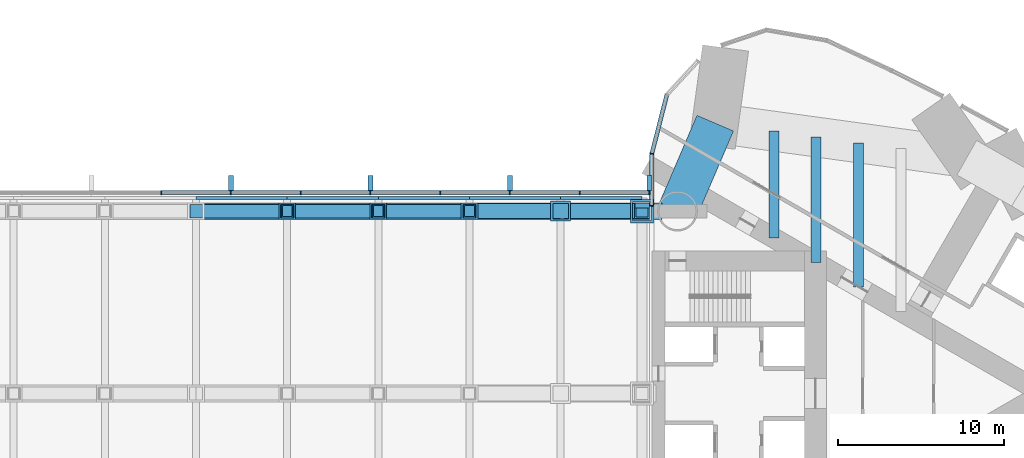
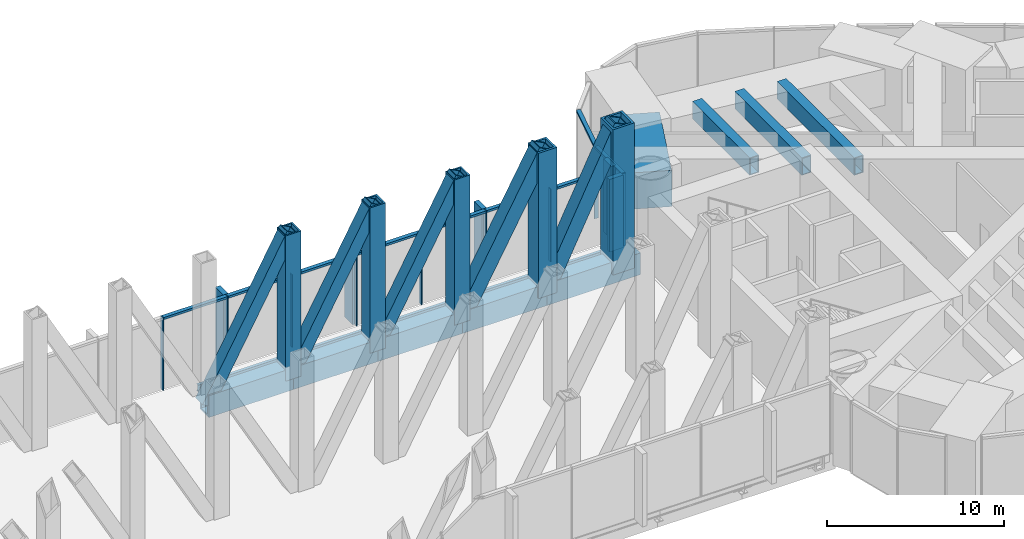
# One storey, part 11 of 21: 39 members, 9 beams, 2 elements without a shape of their own.
"""IFC4 building model written with IfcOpenShell, lengths in metres."""

from ifc_helpers import new_model, si_unit, direction, frame, origin, origin_2d, place, context, subcontext, project, spatial, rectangle, hollow_rectangle, i_section, extrude, material, material_profile, profile_set, type_object, element, aggregate, save


model = new_model("IFC4")

# Units and contexts
model_context = context("Model", 3, precision=1e-05, world=origin(), true_north=direction((0.0, 1.0)))
body_context = subcontext(model_context, "Body", "Model", "MODEL_VIEW")
ifc_project = project(units=[si_unit("LENGTHUNIT", "METRE"), si_unit("AREAUNIT", "SQUARE_METRE"), si_unit("VOLUMEUNIT", "CUBIC_METRE"), si_unit("PLANEANGLEUNIT", "RADIAN"), si_unit("MASSUNIT", "GRAM", prefix="KILO")], contexts=[model_context])

# Site, building, storey
site_placement = place(None, origin())
site = spatial("IfcSite", under=ifc_project, at=site_placement, CompositionType="ELEMENT")
building_placement = place(site_placement, origin())
building = spatial("IfcBuilding", under=site, at=building_placement, Name="Lancet Gate Hotel", CompositionType="ELEMENT")
storey_placement = place(building_placement, frame((0.0, 0.0, 205.300048828125)))
storey = spatial("IfcBuildingStorey", under=building, at=storey_placement, Name="L55", CompositionType="ELEMENT", Elevation=205.300048828125)

# Curtain wall, members
ifc_material_1 = material(Name="Aluminium curtain wall", Category="aluminium")
curtain_wall_type = type_object("IfcCurtainWallType", Name="Refuge storey louvred curtain wall", PredefinedType="USERDEFINED", material=ifc_material_1)
curtain_wall_1_placement = place(storey_placement, origin())
curtain_wall_1 = element("IfcCurtainWall", 1, at=curtain_wall_1_placement, inside=storey, type_object=curtain_wall_type, Name="T2 L55 curtain wall 10", ObjectType="LANTERN GLAZING", PredefinedType="USERDEFINED")
ifc_material_2 = material(Name="Aluminium mullion", Category="aluminium")
ifc_material_profile_1 = material_profile(ifc_material_2, rectangle(XDim=0.06494140625, YDim=0.25, at=origin_2d()), Name="MULLION 65x250")
ifc_profile_set_1 = profile_set([ifc_material_profile_1], Name="Aluminium mullion")
member_type_1 = type_object("IfcMemberType", Name="Aluminium mullion 65x250", PredefinedType="MULLION", material=ifc_profile_set_1)
member_1_placement = place(storey_placement, frame((27.5, 14.465576171875, 0.0), z_axis=(0.0, 0.0, 1.0), x_axis=(-0.134206524909, -0.990953383703, 0.0)))
member_1 = element("IfcMember", 2, at=member_1_placement, type_object=member_type_1, Name="T2 L55 curtain wall 10 mullion 3", PredefinedType="MULLION", context=body_context, shape_type="SweptSolid", body=[
    extrude(rectangle(XDim=0.06494140625, YDim=0.25, at=origin_2d()), origin(), (0.0, 0.0, 1.0), 5.0),
])
member_2_placement = place(storey_placement, frame((27.5, 11.332763671875, 0.0), z_axis=(0.0, 0.0, 1.0), x_axis=(0.0, -1.0, 0.0)))
member_2 = element("IfcMember", 3, at=member_2_placement, type_object=member_type_1, Name="T2 L55 curtain wall 10 mullion 4", PredefinedType="MULLION", context=body_context, shape_type="SweptSolid", body=[
    extrude(rectangle(XDim=0.06494140625, YDim=0.25, at=origin_2d()), origin(), (0.0, 0.0, 1.0), 5.0),
])

curtain_wall_2_placement = place(storey_placement, origin())
curtain_wall_2 = element("IfcCurtainWall", 4, at=curtain_wall_2_placement, inside=storey, type_object=curtain_wall_type, Name="Bridge block L55 curtain wall N", ObjectType="LANTERN GLAZING", PredefinedType="USERDEFINED")
member_3_placement = place(storey_placement, frame((27.35009765625, 12.1201171875, 0.0), z_axis=(0.0, 0.0, 1.0), x_axis=(-1.0, 0.0, 0.0)))
member_3 = element("IfcMember", 5, at=member_3_placement, type_object=member_type_1, Name="Bridge block L55 curtain wall N mullion 1", PredefinedType="MULLION", context=body_context, shape_type="SweptSolid", body=[
    extrude(rectangle(XDim=0.06494140625, YDim=0.25, at=origin_2d()), origin(), (0.0, 0.0, 1.0), 5.0),
])
member_4_placement = place(storey_placement, frame((23.142333984375, 12.1201171875, 0.0), z_axis=(0.0, 0.0, 1.0), x_axis=(-1.0, 0.0, 0.0)))
member_4 = element("IfcMember", 6, at=member_4_placement, type_object=member_type_1, Name="Bridge block L55 curtain wall N mullion 2", PredefinedType="MULLION", context=body_context, shape_type="SweptSolid", body=[
    extrude(rectangle(XDim=0.06494140625, YDim=0.25, at=origin_2d()), origin(), (0.0, 0.0, 1.0), 5.0),
])
member_5_placement = place(storey_placement, frame((18.9345703125, 12.1201171875, 0.0), z_axis=(0.0, 0.0, 1.0), x_axis=(-1.0, 0.0, 0.0)))
member_5 = element("IfcMember", 7, at=member_5_placement, type_object=member_type_1, Name="Bridge block L55 curtain wall N mullion 3", PredefinedType="MULLION", context=body_context, shape_type="SweptSolid", body=[
    extrude(rectangle(XDim=0.06494140625, YDim=0.25, at=origin_2d()), origin(), (0.0, 0.0, 1.0), 5.0),
])
member_6_placement = place(storey_placement, frame((14.726806640625, 12.1201171875, 0.0), z_axis=(0.0, 0.0, 1.0), x_axis=(-1.0, 0.0, 0.0)))
member_6 = element("IfcMember", 8, at=member_6_placement, type_object=member_type_1, Name="Bridge block L55 curtain wall N mullion 4", PredefinedType="MULLION", context=body_context, shape_type="SweptSolid", body=[
    extrude(rectangle(XDim=0.06494140625, YDim=0.25, at=origin_2d()), origin(), (0.0, 0.0, 1.0), 5.0),
])
member_7_placement = place(storey_placement, frame((10.519287109375, 12.1201171875, 0.0), z_axis=(0.0, 0.0, 1.0), x_axis=(-1.0, 0.0, 0.0)))
member_7 = element("IfcMember", 9, at=member_7_placement, type_object=member_type_1, Name="Bridge block L55 curtain wall N mullion 5", PredefinedType="MULLION", context=body_context, shape_type="SweptSolid", body=[
    extrude(rectangle(XDim=0.06494140625, YDim=0.25, at=origin_2d()), origin(), (0.0, 0.0, 1.0), 5.0),
])
member_8_placement = place(storey_placement, frame((6.3115234375, 12.1201171875, 0.0), z_axis=(0.0, 0.0, 1.0), x_axis=(-1.0, 0.0, 0.0)))
member_8 = element("IfcMember", 10, at=member_8_placement, type_object=member_type_1, Name="Bridge block L55 curtain wall N mullion 6", PredefinedType="MULLION", context=body_context, shape_type="SweptSolid", body=[
    extrude(rectangle(XDim=0.06494140625, YDim=0.25, at=origin_2d()), origin(), (0.0, 0.0, 1.0), 5.0),
])
member_9_placement = place(storey_placement, frame((2.103759765625, 12.1201171875, 0.0), z_axis=(0.0, 0.0, 1.0), x_axis=(-1.0, 0.0, 0.0)))
member_9 = element("IfcMember", 11, at=member_9_placement, type_object=member_type_1, Name="Bridge block L55 curtain wall N mullion 7", PredefinedType="MULLION", context=body_context, shape_type="SweptSolid", body=[
    extrude(rectangle(XDim=0.06494140625, YDim=0.25, at=origin_2d()), origin(), (0.0, 0.0, 1.0), 5.0),
])
member_10_placement = place(storey_placement, frame((-2.103759765625, 12.1201171875, 0.0), z_axis=(0.0, 0.0, 1.0), x_axis=(-1.0, 0.0, 0.0)))
member_10 = element("IfcMember", 12, at=member_10_placement, type_object=member_type_1, Name="Bridge block L55 curtain wall N mullion 8", PredefinedType="MULLION", context=body_context, shape_type="SweptSolid", body=[
    extrude(rectangle(XDim=0.06494140625, YDim=0.25, at=origin_2d()), origin(), (0.0, 0.0, 1.0), 5.0),
])

# Member
ifc_material_3 = material(Name="Aluminium transom", Category="aluminium")
ifc_material_profile_2 = material_profile(ifc_material_3, rectangle(XDim=0.25, YDim=0.14990234375, at=origin_2d()), Name="TRANSOM 250x150")
ifc_profile_set_2 = profile_set([ifc_material_profile_2], Name="Aluminium transom")
member_type_2 = type_object("IfcMemberType", Name="Aluminium transom 250x150", PredefinedType="USERDEFINED", material=ifc_profile_set_2)
member_11_placement = place(storey_placement, frame((28.40087890625, 18.012939453125, 4.925048828125), z_axis=(-0.246128756616, -0.969237140831, 0.0), x_axis=(0.969237140831, -0.246128756616, 0.0)))
member_11 = element("IfcMember", 13, at=member_11_placement, type_object=member_type_2, Name="T2 L55 curtain wall 10 transom 2", ObjectType="TRANSOM", PredefinedType="USERDEFINED", context=body_context, shape_type="SweptSolid", body=[
    extrude(rectangle(XDim=0.25, YDim=0.14990234375, at=origin_2d()), origin(), (0.0, 0.0, 1.0), 3.62744140625),
])

member_12_placement = place(storey_placement, frame((27.5, 14.43310546875, 4.925048828125), z_axis=(0.0, -1.0, 0.0), x_axis=(1.0, 0.0, 0.0)))
member_12 = element("IfcMember", 14, at=member_12_placement, type_object=member_type_2, Name="T2 L55 curtain wall 10 transom 3", ObjectType="TRANSOM", PredefinedType="USERDEFINED", context=body_context, shape_type="SweptSolid", body=[
    extrude(rectangle(XDim=0.25, YDim=0.14990234375, at=origin_2d()), origin(), (0.0, 0.0, 1.0), 3.06787109375),
])

member_13_placement = place(storey_placement, frame((27.3173828125, 12.1201171875, 4.925048828125), z_axis=(-1.0, 0.0, 0.0), x_axis=(0.0, -1.0, 0.0)))
member_13 = element("IfcMember", 15, at=member_13_placement, type_object=member_type_2, Name="Bridge block L55 curtain wall N transom 1", ObjectType="TRANSOM", PredefinedType="USERDEFINED", context=body_context, shape_type="SweptSolid", body=[
    extrude(rectangle(XDim=0.25, YDim=0.14990234375, at=origin_2d()), origin(), (0.0, 0.0, 1.0), 4.142578125),
])

member_14_placement = place(storey_placement, frame((23.10986328125, 12.1201171875, 4.925048828125), z_axis=(-1.0, 0.0, 0.0), x_axis=(0.0, -1.0, 0.0)))
member_14 = element("IfcMember", 16, at=member_14_placement, type_object=member_type_2, Name="Bridge block L55 curtain wall N transom 2", ObjectType="TRANSOM", PredefinedType="USERDEFINED", context=body_context, shape_type="SweptSolid", body=[
    extrude(rectangle(XDim=0.25, YDim=0.14990234375, at=origin_2d()), origin(), (0.0, 0.0, 1.0), 4.142822265625),
])

member_15_placement = place(storey_placement, frame((18.902099609375, 12.1201171875, 4.925048828125), z_axis=(-1.0, 0.0, 0.0), x_axis=(0.0, -1.0, 0.0)))
member_15 = element("IfcMember", 17, at=member_15_placement, type_object=member_type_2, Name="Bridge block L55 curtain wall N transom 3", ObjectType="TRANSOM", PredefinedType="USERDEFINED", context=body_context, shape_type="SweptSolid", body=[
    extrude(rectangle(XDim=0.25, YDim=0.14990234375, at=origin_2d()), origin(), (0.0, 0.0, 1.0), 4.142578125),
])

member_16_placement = place(storey_placement, frame((14.6943359375, 12.1201171875, 4.925048828125), z_axis=(-1.0, 0.0, 0.0), x_axis=(0.0, -1.0, 0.0)))
member_16 = element("IfcMember", 18, at=member_16_placement, type_object=member_type_2, Name="Bridge block L55 curtain wall N transom 4", ObjectType="TRANSOM", PredefinedType="USERDEFINED", context=body_context, shape_type="SweptSolid", body=[
    extrude(rectangle(XDim=0.25, YDim=0.14990234375, at=origin_2d()), origin(), (0.0, 0.0, 1.0), 4.142578125),
])

member_17_placement = place(storey_placement, frame((10.48681640625, 12.1201171875, 4.925048828125), z_axis=(-1.0, 0.0, 0.0), x_axis=(0.0, -1.0, 0.0)))
member_17 = element("IfcMember", 19, at=member_17_placement, type_object=member_type_2, Name="Bridge block L55 curtain wall N transom 5", ObjectType="TRANSOM", PredefinedType="USERDEFINED", context=body_context, shape_type="SweptSolid", body=[
    extrude(rectangle(XDim=0.25, YDim=0.14990234375, at=origin_2d()), origin(), (0.0, 0.0, 1.0), 4.142822265625),
])

member_18_placement = place(storey_placement, frame((6.279052734375, 12.1201171875, 4.925048828125), z_axis=(-1.0, 0.0, 0.0), x_axis=(0.0, -1.0, 0.0)))
member_18 = element("IfcMember", 20, at=member_18_placement, type_object=member_type_2, Name="Bridge block L55 curtain wall N transom 6", ObjectType="TRANSOM", PredefinedType="USERDEFINED", context=body_context, shape_type="SweptSolid", body=[
    extrude(rectangle(XDim=0.25, YDim=0.14990234375, at=origin_2d()), origin(), (0.0, 0.0, 1.0), 4.142822265625),
])

member_19_placement = place(storey_placement, frame((2.0712890625, 12.1201171875, 4.925048828125), z_axis=(-1.0, 0.0, 0.0), x_axis=(0.0, -1.0, 0.0)))
member_19 = element("IfcMember", 21, at=member_19_placement, type_object=member_type_2, Name="Bridge block L55 curtain wall N transom 7", ObjectType="TRANSOM", PredefinedType="USERDEFINED", context=body_context, shape_type="SweptSolid", body=[
    extrude(rectangle(XDim=0.25, YDim=0.14990234375, at=origin_2d()), origin(), (0.0, 0.0, 1.0), 4.142578125),
])

# Beams
ifc_material_4 = material(Name="Steel S355", Category="steel")
ifc_material_profile_3 = material_profile(ifc_material_4, i_section(OverallWidth=0.19140625, OverallDepth=0.4599609375, WebThickness=0.010009765625, FlangeThickness=0.01611328125, FilletRadius=0.01025390625, at=origin_2d()), Name="UKB 457x191x82")
ifc_profile_set_3 = profile_set([ifc_material_profile_3], Name="Steel S355")
beam_type_1 = type_object("IfcBeamType", Name="Block edge beam UKB 457x191x82", PredefinedType="SPANDREL", material=ifc_profile_set_3)
for number, where, z_axis, x_axis, name in (
    (22, (0.0, 11.800048828125, -0.429931640625), (1.0, 0.0, 0.0), (0.0, 1.0, 0.0), "Block edge beam N 5-6 L55"),
    (23, (5.5, 11.800048828125, -0.429931640625), (1.0, 0.0, 0.0), (0.0, 1.0, 0.0), "Block edge beam N 6-7 L55"),
    (24, (11.0, 11.800048828125, -0.429931640625), (1.0, 0.0, 0.0), (0.0, 1.0, 0.0), "Block edge beam N 7-8 L55"),
    (25, (16.5, 11.800048828125, -0.429931640625), (1.0, 0.0, 0.0), (0.0, 1.0, 0.0), "Block edge beam N 8-9 L55"),
):
    element("IfcBeam", number, at=place(storey_placement, frame(where, z_axis=z_axis, x_axis=x_axis)), inside=storey, type_object=beam_type_1, Name=name, PredefinedType="SPANDREL", context=body_context, shape_type="SweptSolid", body=[
        extrude(i_section(OverallWidth=0.19140625, OverallDepth=0.4599609375, WebThickness=0.010009765625, FlangeThickness=0.01611328125, FilletRadius=0.01025390625, at=origin_2d()), origin(), (0.0, 0.0, 1.0), 5.5),
    ])
beam_1_placement = place(storey_placement, frame((22.0, 11.800048828125, -0.429931640625), z_axis=(1.0, 0.0, 0.0), x_axis=(0.0, 1.0, 0.0)))
element("IfcBeam", 26, at=beam_1_placement, inside=storey, type_object=beam_type_1, Name="Block edge beam N 9-10 L55", PredefinedType="SPANDREL", context=body_context, shape_type="SweptSolid", body=[
    extrude(i_section(OverallWidth=0.19140625, OverallDepth=0.4599609375, WebThickness=0.010009765625, FlangeThickness=0.01611328125, FilletRadius=0.01025390625, at=origin_2d()), origin(), (0.0, 0.0, 1.0), 4.89990234375),
])

# Member
ifc_material_5 = material(Name="Precast concrete C50/60", Category="concrete")
ifc_material_profile_4 = material_profile(ifc_material_5, rectangle(XDim=0.300048828125, YDim=0.89990234375, at=origin_2d()), Name="FIN 300x900")
ifc_profile_set_4 = profile_set([ifc_material_profile_4], Name="Precast concrete C50/60")
member_type_3 = type_object("IfcMemberType", Name="Exposed concrete fin 300x900", PredefinedType="USERDEFINED", material=ifc_profile_set_4)
member_20_placement = place(storey_placement, frame((26.925048828125, 11.332763671875, 0.0), z_axis=(0.0, 0.0, 1.0), x_axis=(0.0, -1.0, 0.0)))
member_20 = element("IfcMember", 27, at=member_20_placement, type_object=member_type_3, Name="T2 L55 curtain wall 10 fin 4", ObjectType="FIN", PredefinedType="USERDEFINED", context=body_context, shape_type="SweptSolid", body=[
    extrude(rectangle(XDim=0.300048828125, YDim=0.89990234375, at=origin_2d()), origin(), (0.0, 0.0, 1.0), 5.0),
])

aggregate(curtain_wall_1, [member_1, member_2, member_20, member_11, member_12])

member_21_placement = place(storey_placement, frame((27.35009765625, 12.695068359375, 0.0), z_axis=(0.0, 0.0, 1.0), x_axis=(-1.0, 0.0, 0.0)))
member_21 = element("IfcMember", 28, at=member_21_placement, type_object=member_type_3, Name="Bridge block L55 curtain wall N fin 1", ObjectType="FIN", PredefinedType="USERDEFINED", context=body_context, shape_type="SweptSolid", body=[
    extrude(rectangle(XDim=0.300048828125, YDim=0.89990234375, at=origin_2d()), origin(), (0.0, 0.0, 1.0), 5.0),
])

member_22_placement = place(storey_placement, frame((18.9345703125, 12.695068359375, 0.0), z_axis=(0.0, 0.0, 1.0), x_axis=(-1.0, 0.0, 0.0)))
member_22 = element("IfcMember", 29, at=member_22_placement, type_object=member_type_3, Name="Bridge block L55 curtain wall N fin 3", ObjectType="FIN", PredefinedType="USERDEFINED", context=body_context, shape_type="SweptSolid", body=[
    extrude(rectangle(XDim=0.300048828125, YDim=0.89990234375, at=origin_2d()), origin(), (0.0, 0.0, 1.0), 5.0),
])

member_23_placement = place(storey_placement, frame((10.519287109375, 12.695068359375, 0.0), z_axis=(0.0, 0.0, 1.0), x_axis=(-1.0, 0.0, 0.0)))
member_23 = element("IfcMember", 30, at=member_23_placement, type_object=member_type_3, Name="Bridge block L55 curtain wall N fin 5", ObjectType="FIN", PredefinedType="USERDEFINED", context=body_context, shape_type="SweptSolid", body=[
    extrude(rectangle(XDim=0.300048828125, YDim=0.89990234375, at=origin_2d()), origin(), (0.0, 0.0, 1.0), 5.0),
])

member_24_placement = place(storey_placement, frame((2.103759765625, 12.695068359375, 0.0), z_axis=(0.0, 0.0, 1.0), x_axis=(-1.0, 0.0, 0.0)))
member_24 = element("IfcMember", 31, at=member_24_placement, type_object=member_type_3, Name="Bridge block L55 curtain wall N fin 7", ObjectType="FIN", PredefinedType="USERDEFINED", context=body_context, shape_type="SweptSolid", body=[
    extrude(rectangle(XDim=0.300048828125, YDim=0.89990234375, at=origin_2d()), origin(), (0.0, 0.0, 1.0), 5.0),
])

aggregate(curtain_wall_2, [member_3, member_21, member_4, member_5, member_22, member_6, member_7, member_23, member_8, member_9, member_24, member_10, member_13, member_14, member_15, member_16, member_17, member_18, member_19])

# Beams
ifc_material_6 = material(Name="Steel S460QL", Category="steel")
ifc_material_profile_5 = material_profile(ifc_material_6, hollow_rectangle(XDim=0.60009765625, YDim=1.199951171875, WallThickness=0.050048828125, at=origin_2d()), Name="BOX 1200x600x50")
ifc_profile_set_5 = profile_set([ifc_material_profile_5], Name="Steel S460QL")
beam_type_2 = type_object("IfcBeamType", Name="Refuge floor beam BOX 1200x600x50", PredefinedType="BEAM", material=ifc_profile_set_5)
beam_2_placement = place(storey_placement, frame((34.859619140625, 9.377685546875, 4.14990234375), z_axis=(0.0, 1.0, 0.0), x_axis=(-1.0, 0.0, 0.0)))
element("IfcBeam", 32, at=beam_2_placement, inside=storey, type_object=beam_type_2, Name="T2 floor beam F02N L55", PredefinedType="BEAM", context=body_context, shape_type="SweptSolid", body=[
    extrude(hollow_rectangle(XDim=0.60009765625, YDim=1.199951171875, WallThickness=0.050048828125, at=origin_2d()), origin(), (0.0, 0.0, 1.0), 6.44775390625),
])
beam_3_placement = place(storey_placement, frame((37.412841796875, 7.903564453125, 4.14990234375), z_axis=(0.0, 1.0, 0.0), x_axis=(-1.0, 0.0, 0.0)))
element("IfcBeam", 33, at=beam_3_placement, inside=storey, type_object=beam_type_2, Name="T2 floor beam F04N L55", PredefinedType="BEAM", context=body_context, shape_type="SweptSolid", body=[
    extrude(hollow_rectangle(XDim=0.60009765625, YDim=1.199951171875, WallThickness=0.050048828125, at=origin_2d()), origin(), (0.0, 0.0, 1.0), 7.57080078125),
])
beam_4_placement = place(storey_placement, frame((39.9658203125, 6.429443359375, 4.14990234375), z_axis=(0.0, 1.0, 0.0), x_axis=(-1.0, 0.0, 0.0)))
element("IfcBeam", 34, at=beam_4_placement, inside=storey, type_object=beam_type_2, Name="T2 floor beam F06N L55", PredefinedType="BEAM", context=body_context, shape_type="SweptSolid", body=[
    extrude(hollow_rectangle(XDim=0.60009765625, YDim=1.199951171875, WallThickness=0.050048828125, at=origin_2d()), origin(), (0.0, 0.0, 1.0), 8.694091796875),
])
ifc_material_7 = material(Name="Concrete C50/60", Category="concrete")
ifc_material_profile_6 = material_profile(ifc_material_7, rectangle(XDim=2.39990234375, YDim=2.5, at=origin_2d()), Name="RC 2400x2500")
ifc_profile_set_6 = profile_set([ifc_material_profile_6], Name="Concrete C50/60")
beam_type_3 = type_object("IfcBeamType", Name="Tie ring beam RC 2400x2500", PredefinedType="SPANDREL", material=ifc_profile_set_6)
beam_5_placement = place(storey_placement, frame((29.050048828125, 11.0, 3.5), z_axis=(0.394250694824, 0.91900293233, 0.0), x_axis=(-0.91900293233, 0.394250694824, 0.0)))
element("IfcBeam", 35, at=beam_5_placement, inside=storey, type_object=beam_type_3, Name="T2 tie ring beam RG1 L55", PredefinedType="SPANDREL", context=body_context, shape_type="SweptSolid", body=[
    extrude(rectangle(XDim=2.39990234375, YDim=2.5, at=origin_2d()), origin(), (0.0, 0.0, 1.0), 5.77880859375),
])

# Members
ifc_material_8 = material(Name="Steel S460QL", Category="steel")
ifc_material_profile_7 = material_profile(ifc_material_8, hollow_rectangle(XDim=1.0, YDim=1.5, WallThickness=0.14990234375, at=origin_2d()), Name="BOX 1500x1000x150")
ifc_profile_set_7 = profile_set([ifc_material_profile_7], Name="Steel S460QL")
member_type_4 = type_object("IfcMemberType", Name="Truss bottom chord BOX 1500x1000x150", PredefinedType="CHORD", material=ifc_profile_set_7)
for number, where, z_axis, x_axis, name in (
    (36, (0.0, 11.0, -0.949951171875), (1.0, 0.0, 0.0), (0.0, 1.0, 0.0), "Truss N bottom chord panel 6"),
    (37, (5.5, 11.0, -0.949951171875), (1.0, 0.0, 0.0), (0.0, 1.0, 0.0), "Truss N bottom chord panel 7"),
    (38, (11.0, 11.0, -0.949951171875), (1.0, 0.0, 0.0), (0.0, 1.0, 0.0), "Truss N bottom chord panel 8"),
    (39, (16.5, 11.0, -0.949951171875), (1.0, 0.0, 0.0), (0.0, 1.0, 0.0), "Truss N bottom chord panel 9"),
):
    element("IfcMember", number, at=place(storey_placement, frame(where, z_axis=z_axis, x_axis=x_axis)), inside=storey, type_object=member_type_4, Name=name, PredefinedType="CHORD", context=body_context, shape_type="SweptSolid", body=[
        extrude(hollow_rectangle(XDim=1.0, YDim=1.5, WallThickness=0.14990234375, at=origin_2d()), origin(), (0.0, 0.0, 1.0), 5.5),
    ])
member_25_placement = place(storey_placement, frame((22.0, 11.0, -0.949951171875), z_axis=(1.0, 0.0, 0.0), x_axis=(0.0, 1.0, 0.0)))
element("IfcMember", 40, at=member_25_placement, inside=storey, type_object=member_type_4, Name="Truss N bottom chord panel 10", PredefinedType="CHORD", context=body_context, shape_type="SweptSolid", body=[
    extrude(hollow_rectangle(XDim=1.0, YDim=1.5, WallThickness=0.14990234375, at=origin_2d()), origin(), (0.0, 0.0, 1.0), 6.10009765625),
])
ifc_material_9 = material(Name="Steel S460QL", Category="steel")
ifc_material_profile_8 = material_profile(ifc_material_9, hollow_rectangle(XDim=0.89990234375, YDim=1.0, WallThickness=0.10009765625, at=origin_2d()), Name="BOX 1000x900x100")
ifc_profile_set_8 = profile_set([ifc_material_profile_8], Name="Steel S460QL")
member_type_5 = type_object("IfcMemberType", Name="Truss diagonal BOX 1000x900x100", PredefinedType="BRACE", material=ifc_profile_set_8)
member_26_placement = place(storey_placement, frame((22.0, 11.0, 9.050048828125), z_axis=(-0.481918749772, 0.0, -0.876215908677), x_axis=(0.0, -1.0, 0.0)))
element("IfcMember", 41, at=member_26_placement, inside=storey, type_object=member_type_5, Name="Truss N diagonal panel 9", PredefinedType="BRACE", context=body_context, shape_type="SweptSolid", body=[
    extrude(hollow_rectangle(XDim=0.89990234375, YDim=1.0, WallThickness=0.10009765625, at=origin_2d()), origin(), (0.0, 0.0, 1.0), 11.41259765625),
])
member_27_placement = place(storey_placement, frame((26.89990234375, 11.0, 9.050048828125), z_axis=(-0.440008176176, 0.0, -0.897993766625), x_axis=(0.0, -1.0, 0.0)))
element("IfcMember", 42, at=member_27_placement, inside=storey, type_object=member_type_5, Name="Truss N diagonal panel 10", PredefinedType="BRACE", context=body_context, shape_type="SweptSolid", body=[
    extrude(hollow_rectangle(XDim=0.89990234375, YDim=1.0, WallThickness=0.10009765625, at=origin_2d()), origin(), (0.0, 0.0, 1.0), 11.135986328125),
])
ifc_material_10 = material(Name="Steel S460QL", Category="steel")
ifc_material_profile_9 = material_profile(ifc_material_10, hollow_rectangle(XDim=0.800048828125, YDim=0.800048828125, WallThickness=0.070068359375, at=origin_2d()), Name="BOX 800x800x70")
ifc_profile_set_9 = profile_set([ifc_material_profile_9], Name="Steel S460QL")
member_type_6 = type_object("IfcMemberType", Name="Truss diagonal BOX 800x800x70", PredefinedType="BRACE", material=ifc_profile_set_9)
for number, where, z_axis, x_axis, name in (
    (43, (5.5, 11.0, 9.050048828125), (-0.481918749772, 0.0, -0.876215908677), (0.0, -1.0, 0.0), "Truss N diagonal panel 6"),
    (44, (11.0, 11.0, 9.050048828125), (-0.481918749772, 0.0, -0.876215908677), (0.0, -1.0, 0.0), "Truss N diagonal panel 7"),
    (45, (16.5, 11.0, 9.050048828125), (-0.481918749772, 0.0, -0.876215908677), (0.0, -1.0, 0.0), "Truss N diagonal panel 8"),
):
    element("IfcMember", number, at=place(storey_placement, frame(where, z_axis=z_axis, x_axis=x_axis)), inside=storey, type_object=member_type_6, Name=name, PredefinedType="BRACE", context=body_context, shape_type="SweptSolid", body=[
        extrude(hollow_rectangle(XDim=0.800048828125, YDim=0.800048828125, WallThickness=0.070068359375, at=origin_2d()), origin(), (0.0, 0.0, 1.0), 11.41259765625),
    ])
ifc_material_11 = material(Name="Steel S460QL", Category="steel")
ifc_material_profile_10 = material_profile(ifc_material_11, hollow_rectangle(XDim=1.39990234375, YDim=1.39990234375, WallThickness=0.139892578125, at=origin_2d()), Name="BOX 1400x1400x140")
ifc_profile_set_10 = profile_set([ifc_material_profile_10], Name="Steel S460QL")
member_type_7 = type_object("IfcMemberType", Name="Truss end post BOX 1400x1400x140", PredefinedType="POST", material=ifc_profile_set_10)
member_28_placement = place(storey_placement, frame((26.89990234375, 11.0, -0.949951171875), z_axis=(0.0, 0.0, 1.0), x_axis=(1.0, 0.0, 0.0)))
element("IfcMember", 46, at=member_28_placement, inside=storey, type_object=member_type_7, Name="Truss N post 10", PredefinedType="POST", context=body_context, shape_type="SweptSolid", body=[
    extrude(hollow_rectangle(XDim=1.39990234375, YDim=1.39990234375, WallThickness=0.139892578125, at=origin_2d()), origin(), (0.0, 0.0, 1.0), 10.0),
])
ifc_material_12 = material(Name="Steel S460QL", Category="steel")
ifc_material_profile_11 = material_profile(ifc_material_12, hollow_rectangle(XDim=1.0, YDim=1.0, WallThickness=0.10009765625, at=origin_2d()), Name="BOX 1000x1000x100")
ifc_profile_set_11 = profile_set([ifc_material_profile_11], Name="Steel S460QL")
member_type_8 = type_object("IfcMemberType", Name="Truss post BOX 1000x1000x100", PredefinedType="POST", material=ifc_profile_set_11)
for number, where, z_axis, x_axis, name in (
    (47, (5.5, 11.0, -0.949951171875), (0.0, 0.0, 1.0), (1.0, 0.0, 0.0), "Truss N post 6"),
    (48, (11.0, 11.0, -0.949951171875), (0.0, 0.0, 1.0), (1.0, 0.0, 0.0), "Truss N post 7"),
    (49, (16.5, 11.0, -0.949951171875), (0.0, 0.0, 1.0), (1.0, 0.0, 0.0), "Truss N post 8"),
):
    element("IfcMember", number, at=place(storey_placement, frame(where, z_axis=z_axis, x_axis=x_axis)), inside=storey, type_object=member_type_8, Name=name, PredefinedType="POST", context=body_context, shape_type="SweptSolid", body=[
        extrude(hollow_rectangle(XDim=1.0, YDim=1.0, WallThickness=0.10009765625, at=origin_2d()), origin(), (0.0, 0.0, 1.0), 10.0),
    ])
ifc_material_13 = material(Name="Steel S460QL", Category="steel")
ifc_material_profile_12 = material_profile(ifc_material_13, hollow_rectangle(XDim=1.199951171875, YDim=1.199951171875, WallThickness=0.139892578125, at=origin_2d()), Name="BOX 1200x1200x140")
ifc_profile_set_12 = profile_set([ifc_material_profile_12], Name="Steel S460QL")
member_type_9 = type_object("IfcMemberType", Name="Truss post BOX 1200x1200x140", PredefinedType="POST", material=ifc_profile_set_12)
member_29_placement = place(storey_placement, frame((22.0, 11.0, -0.949951171875), z_axis=(0.0, 0.0, 1.0), x_axis=(1.0, 0.0, 0.0)))
element("IfcMember", 50, at=member_29_placement, inside=storey, type_object=member_type_9, Name="Truss N post 9", PredefinedType="POST", context=body_context, shape_type="SweptSolid", body=[
    extrude(hollow_rectangle(XDim=1.199951171875, YDim=1.199951171875, WallThickness=0.139892578125, at=origin_2d()), origin(), (0.0, 0.0, 1.0), 10.0),
])

save(model, "model.ifc")
